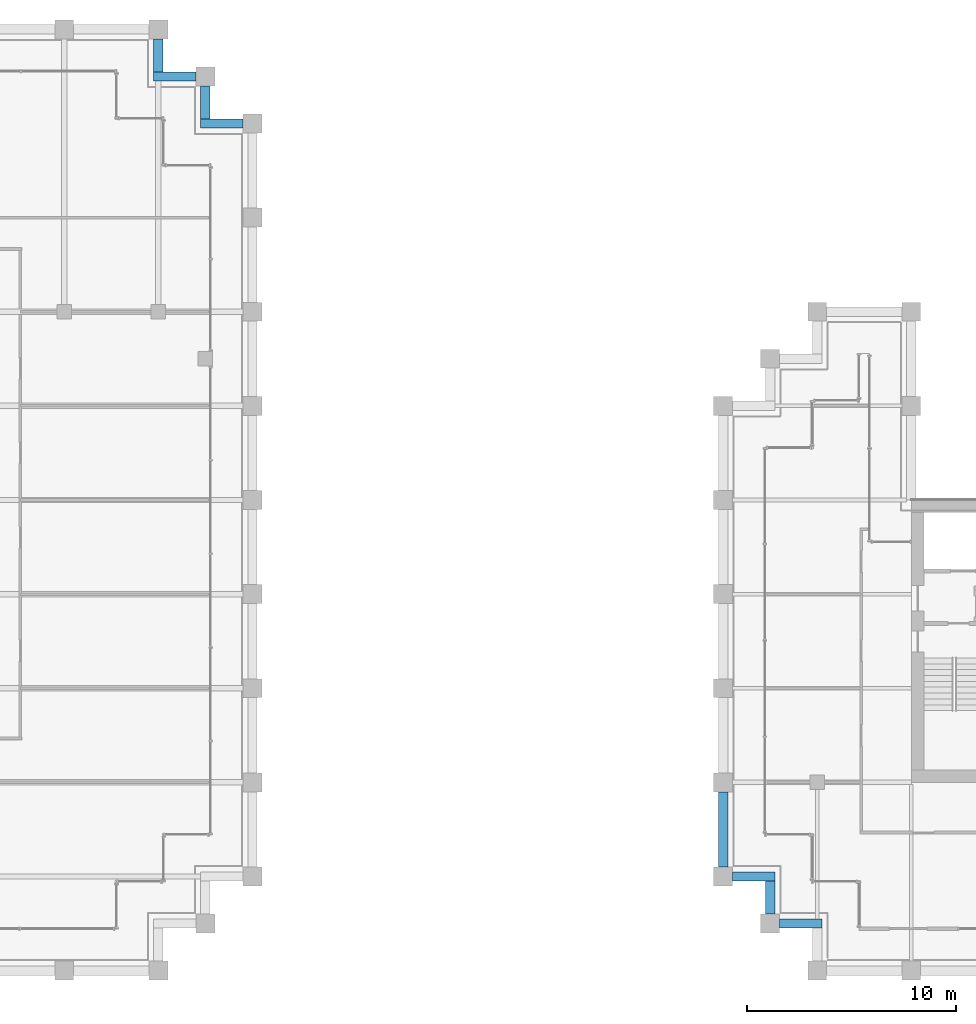
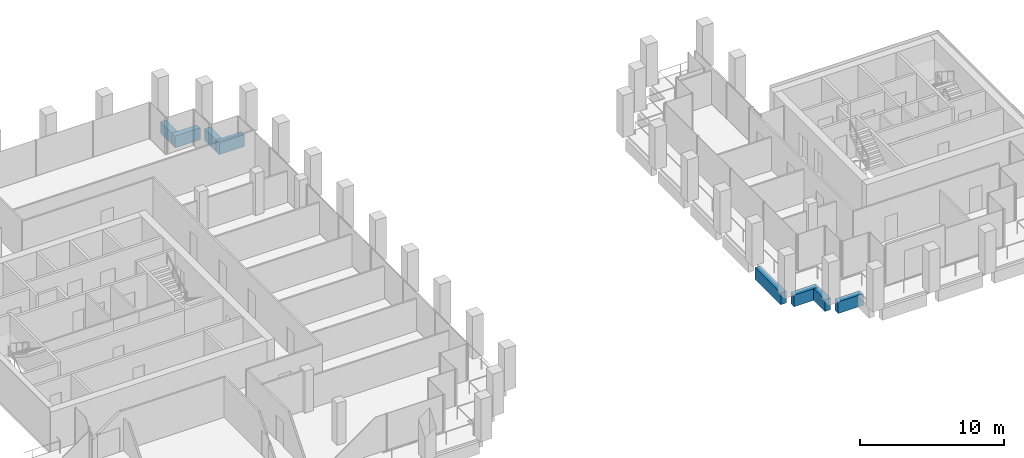
# One storey, part 27 of 40: 8 beams.
"""IFC4 building model written with IfcOpenShell, lengths in metres."""

from ifc_helpers import new_model, si_unit, direction, frame, origin, origin_2d, place, context, subcontext, project, spatial, rectangle, extrude, material, material_profile, profile_set, type_object, element, save


model = new_model("IFC4")

# Units and contexts
model_context = context("Model", 3, precision=1e-05, world=origin(), true_north=direction((0.0, 1.0)))
body_context = subcontext(model_context, "Body", "Model", "MODEL_VIEW")
ifc_project = project(units=[si_unit("LENGTHUNIT", "METRE"), si_unit("AREAUNIT", "SQUARE_METRE"), si_unit("VOLUMEUNIT", "CUBIC_METRE"), si_unit("PLANEANGLEUNIT", "RADIAN"), si_unit("MASSUNIT", "GRAM", prefix="KILO")], contexts=[model_context])

# Site, building, storey
site_placement = place(None, origin())
site = spatial("IfcSite", under=ifc_project, at=site_placement, CompositionType="ELEMENT")
building_placement = place(site_placement, origin())
building = spatial("IfcBuilding", under=site, at=building_placement, Name="Altepetl Exchange Towers", CompositionType="ELEMENT")
storey_placement = place(building_placement, frame((0.0, 0.0, 176.199951171875)))
storey = spatial("IfcBuildingStorey", under=building, at=storey_placement, Name="L44", CompositionType="ELEMENT", Elevation=176.199951171875)

# Beams
ifc_material_1 = material(Name="Concrete C50/60 precast with cantera rosa facing", Category="concrete")
ifc_material_profile_1 = material_profile(ifc_material_1, rectangle(XDim=0.449951171875, YDim=1.0, at=origin_2d()), Name="450 x 1000")
ifc_profile_set_1 = profile_set([ifc_material_profile_1], Name="Concrete C50/60 precast with cantera rosa facing")
beam_type_1 = type_object("IfcBeamType", Name="Spandrel beam 450x1000 cantera rosa", PredefinedType="SPANDREL", material=ifc_profile_set_1)
beam_1_placement = place(storey_placement, frame((71.550048828125, 67.5, -0.64990234375), z_axis=(-1.0, 0.0, 0.0), x_axis=(0.0, -1.0, 0.0)))
element("IfcBeam", 1, at=beam_1_placement, inside=storey, type_object=beam_type_1, Name="sp:A:L44:020", PredefinedType="SPANDREL", context=body_context, shape_type="SweptSolid", body=[
    extrude(rectangle(XDim=0.449951171875, YDim=1.0, at=origin_2d()), origin(), (0.0, 0.0, 1.0), 2.025146484375),
])
beam_2_placement = place(storey_placement, frame((69.75, 67.72509765625, -0.64990234375), z_axis=(0.0, 1.0, 0.0), x_axis=(-1.0, 0.0, 0.0)))
element("IfcBeam", 2, at=beam_2_placement, inside=storey, type_object=beam_type_1, Name="sp:A:L44:021", PredefinedType="SPANDREL", context=body_context, shape_type="SweptSolid", body=[
    extrude(rectangle(XDim=0.449951171875, YDim=1.0, at=origin_2d()), origin(), (0.0, 0.0, 1.0), 1.574951171875),
])
beam_3_placement = place(storey_placement, frame((69.300048828125, 69.75, -0.64990234375), z_axis=(-1.0, 0.0, 0.0), x_axis=(0.0, -1.0, 0.0)))
element("IfcBeam", 3, at=beam_3_placement, inside=storey, type_object=beam_type_1, Name="sp:A:L44:022", PredefinedType="SPANDREL", context=body_context, shape_type="SweptSolid", body=[
    extrude(rectangle(XDim=0.449951171875, YDim=1.0, at=origin_2d()), origin(), (0.0, 0.0, 1.0), 2.025146484375),
])
beam_4_placement = place(storey_placement, frame((67.5, 69.97509765625, -0.64990234375), z_axis=(0.0, 1.0, 0.0), x_axis=(-1.0, 0.0, 0.0)))
element("IfcBeam", 4, at=beam_4_placement, inside=storey, type_object=beam_type_1, Name="sp:A:L44:023", PredefinedType="SPANDREL", context=body_context, shape_type="SweptSolid", body=[
    extrude(rectangle(XDim=0.449951171875, YDim=1.0, at=origin_2d()), origin(), (0.0, 0.0, 1.0), 1.574951171875),
])
ifc_material_2 = material(Name="Concrete C50/60 precast with tezontle facing", Category="concrete")
ifc_material_profile_2 = material_profile(ifc_material_2, rectangle(XDim=0.449951171875, YDim=1.0, at=origin_2d()), Name="450 x 1000")
ifc_profile_set_2 = profile_set([ifc_material_profile_2], Name="Concrete C50/60 precast with tezontle facing")
beam_type_2 = type_object("IfcBeamType", Name="Spandrel beam 450x1000 tezontle", PredefinedType="SPANDREL", material=ifc_profile_set_2)
beam_5_placement = place(storey_placement, frame((94.5, 35.550048828125, -0.64990234375), z_axis=(0.0, -1.0, 0.0), x_axis=(1.0, 0.0, 0.0)))
element("IfcBeam", 5, at=beam_5_placement, inside=storey, type_object=beam_type_2, Name="sp:B:L44:019", PredefinedType="SPANDREL", context=body_context, shape_type="SweptSolid", body=[
    extrude(rectangle(XDim=0.449951171875, YDim=1.0, at=origin_2d()), origin(), (0.0, 0.0, 1.0), 3.60009765625),
])
beam_6_placement = place(storey_placement, frame((94.949951171875, 31.5, -0.64990234375), z_axis=(1.0, 0.0, 0.0), x_axis=(0.0, 1.0, 0.0)))
element("IfcBeam", 6, at=beam_6_placement, inside=storey, type_object=beam_type_2, Name="sp:B:L44:020", PredefinedType="SPANDREL", context=body_context, shape_type="SweptSolid", body=[
    extrude(rectangle(XDim=0.449951171875, YDim=1.0, at=origin_2d()), origin(), (0.0, 0.0, 1.0), 2.025146484375),
])
beam_7_placement = place(storey_placement, frame((96.75, 31.27490234375, -0.64990234375), z_axis=(0.0, -1.0, 0.0), x_axis=(1.0, 0.0, 0.0)))
element("IfcBeam", 7, at=beam_7_placement, inside=storey, type_object=beam_type_2, Name="sp:B:L44:021", PredefinedType="SPANDREL", context=body_context, shape_type="SweptSolid", body=[
    extrude(rectangle(XDim=0.449951171875, YDim=1.0, at=origin_2d()), origin(), (0.0, 0.0, 1.0), 1.574951171875),
])
beam_8_placement = place(storey_placement, frame((97.199951171875, 29.25, -0.64990234375), z_axis=(1.0, 0.0, 0.0), x_axis=(0.0, 1.0, 0.0)))
element("IfcBeam", 8, at=beam_8_placement, inside=storey, type_object=beam_type_2, Name="sp:B:L44:022", PredefinedType="SPANDREL", context=body_context, shape_type="SweptSolid", body=[
    extrude(rectangle(XDim=0.449951171875, YDim=1.0, at=origin_2d()), origin(), (0.0, 0.0, 1.0), 2.025146484375),
])

save(model, "model.ifc")
